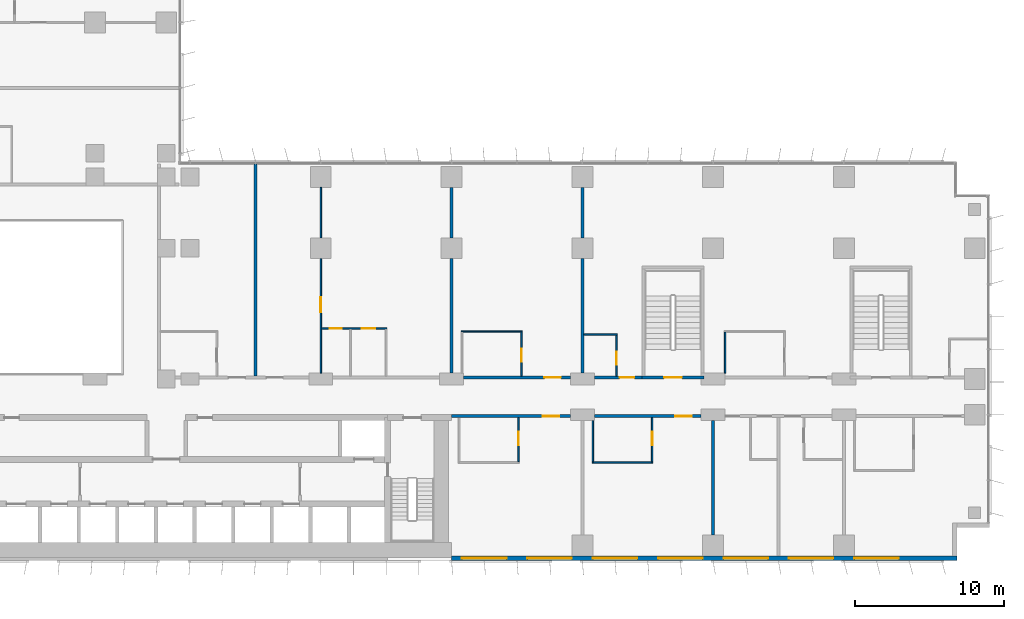
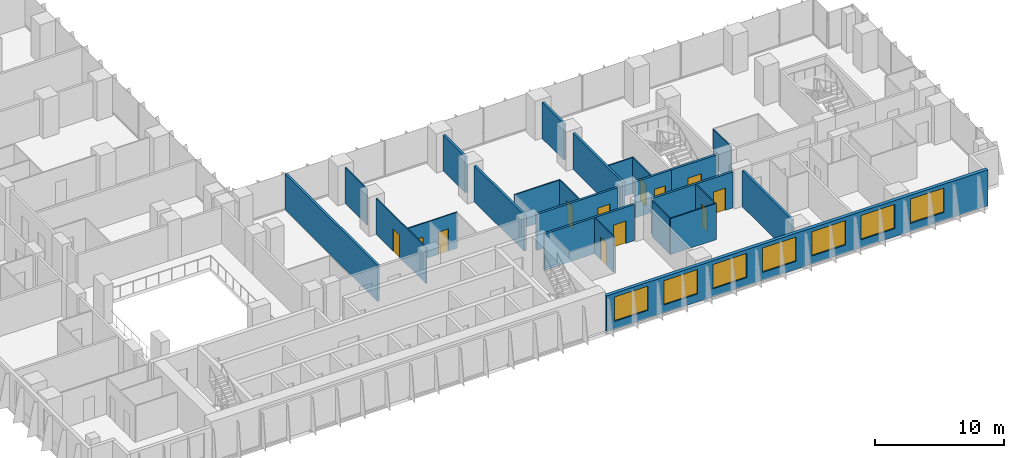
# One storey, part 14 of 24: 24 walls, 12 doors, 7 windows, 19 openings.
"""IFC4 building model written with IfcOpenShell, lengths in metres."""

import ifcopenshell
import ifcopenshell.guid

model = None  # the IFC model being written
_history = None  # IfcOwnerHistory: only IFC2X3 demands one
_inside = {}  # id of a spatial element -> (the spatial element, [elements in it])
_under = {}  # id of a project, library or spatial element -> (it, [spatial elements below it])
_declared = {}  # id of a project -> (the project, [libraries it declares])
_typed = {}  # id of a type object -> (the type object, [elements of that type])
_made_of = {}  # id of a material, layer set ... -> (it, [elements and type objects made of it])


def new_model(schema):
    """Start an empty IFC model of exactly this schema.

    Asked for "IFC4X3", IfcOpenShell would pick the latest addendum, in which some entities
    have other attributes; the version numbers below select the first issue.
    IFC2X3 requires an IfcOwnerHistory on every rooted entity: one is made here for all.
    """
    global model, _history
    if schema == "IFC4X3":
        model = ifcopenshell.file(schema_version=(4, 3, 0, 0))
    else:
        model = ifcopenshell.file(schema=schema)
    _inside.clear()
    _under.clear()
    _declared.clear()
    _typed.clear()
    _made_of.clear()
    _history = None
    if model.schema == "IFC2X3":
        org = make("IfcOrganization", Name="unknown")
        user = make(
            "IfcPersonAndOrganization",
            ThePerson=make("IfcPerson", FamilyName="unknown"),
            TheOrganization=org,
        )
        app = make(
            "IfcApplication",
            ApplicationDeveloper=org,
            Version="unknown",
            ApplicationFullName="unknown",
            ApplicationIdentifier="unknown",
        )
        _history = make(
            "IfcOwnerHistory",
            OwningUser=user,
            OwningApplication=app,
            ChangeAction="ADDED",
            CreationDate=0,
        )
    return model


def make(cls, **values):
    """One entity of the class cls with the attributes given. An attribute that is None is left unset."""
    return model.create_entity(
        cls, **{name: value for name, value in values.items() if value is not None}
    )


def rooted(cls, **values):
    """An entity with a GlobalId (a new one), such as an element, a storey or a relation."""
    return make(cls, GlobalId=ifcopenshell.guid.new(), OwnerHistory=_history, **values)


def si_unit(unit_type, name, prefix=None):
    """IfcSIUnit, for example si_unit("LENGTHUNIT", "METRE", prefix="MILLI")."""
    return make("IfcSIUnit", UnitType=unit_type, Prefix=prefix, Name=name)


def assignment(units):
    """IfcUnitAssignment: the units of a project."""
    return None if units is None else make("IfcUnitAssignment", Units=units)


def point(xyz):
    """IfcCartesianPoint."""
    return None if xyz is None else make("IfcCartesianPoint", Coordinates=xyz)


def direction(xyz):
    """IfcDirection."""
    return None if xyz is None else make("IfcDirection", DirectionRatios=xyz)


def frame(location, z_axis=None, x_axis=None):
    """IfcAxis2Placement3D, a coordinate frame: its origin and axes. An axis left out is left unset."""
    return make(
        "IfcAxis2Placement3D",
        Location=point(location),
        Axis=direction(z_axis),
        RefDirection=direction(x_axis),
    )


def frame_2d(location, x_axis=None):
    """IfcAxis2Placement2D, a coordinate frame in the plane: its origin and x axis."""
    return make(
        "IfcAxis2Placement2D", Location=point(location), RefDirection=direction(x_axis)
    )


def origin():
    """The frame at (0, 0, 0) with its axes left unset."""
    return frame((0.0, 0.0, 0.0))


def place(relative_to, where):
    """IfcLocalPlacement: puts the frame where relative to a parent placement (None: the world)."""
    return make(
        "IfcLocalPlacement", PlacementRelTo=relative_to, RelativePlacement=where
    )


def context(
    kind, dimensions, precision=None, world=None, true_north=None, identifier=None
):
    """IfcGeometricRepresentationContext, for example the 3D "Model" context."""
    return make(
        "IfcGeometricRepresentationContext",
        ContextIdentifier=identifier,
        ContextType=kind,
        CoordinateSpaceDimension=dimensions,
        Precision=precision,
        WorldCoordinateSystem=world,
        TrueNorth=true_north,
    )


def subcontext(parent, identifier, kind, view, scale=None):
    """IfcGeometricRepresentationSubContext, for example "Body" below "Model"."""
    return make(
        "IfcGeometricRepresentationSubContext",
        ContextIdentifier=identifier,
        ContextType=kind,
        ParentContext=parent,
        TargetScale=scale,
        TargetView=view,
    )


def project(units=None, contexts=None):
    """IfcProject with its units and contexts."""
    return rooted(
        "IfcProject",
        Name="project",
        RepresentationContexts=contexts,
        UnitsInContext=assignment(units),
    )


def spatial(cls, under=None, at=None, **own):
    """A site, building, storey or space (cls), placed at a placement, below another one or the project."""
    s = rooted(cls, ObjectPlacement=at, **own)
    if under is not None:
        _under.setdefault(under.id(), (under, []))[1].append(s)
    return s


def profile(cls, at=None, kind="AREA", **sizes):
    """A parametric profile (cls). Its sizes go by their IFC names, for example OverallWidth=200.0."""
    return make(cls, ProfileType=kind, Position=at, **sizes)


def rectangle(**sizes):
    """IfcRectangleProfileDef."""
    return profile("IfcRectangleProfileDef", **sizes)


def extrude(swept, where, along, depth):
    """IfcExtrudedAreaSolid: the profile swept, set in the frame where, extruded along a direction by depth."""
    return make(
        "IfcExtrudedAreaSolid",
        SweptArea=swept,
        Position=where,
        ExtrudedDirection=direction(along),
        Depth=depth,
    )


def shape(context_of_items, identifier, shape_type, items):
    """IfcShapeRepresentation: the items that make up one representation, for example the "Body"."""
    return make(
        "IfcShapeRepresentation",
        ContextOfItems=context_of_items,
        RepresentationIdentifier=identifier,
        RepresentationType=shape_type,
        Items=items,
    )


def material(Name=None, Category=None):
    """IfcMaterial."""
    return make("IfcMaterial", Name=Name, Category=Category)


def layer(
    of_material, thickness, ventilated=None, Name=None, Category=None, Priority=None
):
    """IfcMaterialLayer: one layer of a wall or slab, of a material (None: an air gap)."""
    return make(
        "IfcMaterialLayer",
        Material=of_material,
        LayerThickness=thickness,
        IsVentilated=ventilated,
        Name=Name,
        Category=Category,
        Priority=Priority,
    )


def layer_set(layers, Name=None):
    """IfcMaterialLayerSet."""
    return make("IfcMaterialLayerSet", MaterialLayers=layers, LayerSetName=Name)


def made_of(thing, what):
    """Note that an element or type object is made of a material, layer set ...; save() writes the relation."""
    if what is not None:
        _made_of.setdefault(what.id(), (what, []))[1].append(thing)
    return thing


def type_object(cls, material=None, **own):
    """A type object (cls), such as IfcWallType, which elements share."""
    return made_of(rooted(cls, **own), material)


def element(
    cls,
    number,
    at=None,
    inside=None,
    cuts=None,
    type_object=None,
    material=None,
    context=None,
    identifier="Body",
    shape_type=None,
    held_by="IfcProductDefinitionShape",
    body=None,
    shapes=None,
    **own,
):
    """One element of the class cls, such as IfcWall. Its Tag is "e" and its number.

    at: its placement. inside: the storey or other place that contains it. cuts: it is an
    opening in that element (IfcRelVoidsElement). A single representation is given by context,
    identifier, shape_type and body (its items); several are given by shapes. held_by: the class
    of the entity that holds the representations. save() writes the other relations.
    """
    e = rooted(cls, Tag="e%d" % number, ObjectPlacement=at, **own)
    if body is not None:
        shapes = [shape(context, identifier, shape_type, body)]
    if shapes is not None:
        e.Representation = make(held_by, Representations=shapes)
    if inside is not None:
        _inside.setdefault(inside.id(), (inside, []))[1].append(e)
    if cuts is not None:
        rooted(
            "IfcRelVoidsElement", RelatingBuildingElement=cuts, RelatedOpeningElement=e
        )
    if type_object is not None:
        _typed.setdefault(type_object.id(), (type_object, []))[1].append(e)
    return made_of(e, material)


def fill(opening, filler):
    """IfcRelFillsElement: the door or window that sits in an opening."""
    return rooted(
        "IfcRelFillsElement",
        RelatingOpeningElement=opening,
        RelatedBuildingElement=filler,
    )


def aggregate(whole, parts):
    """IfcRelAggregates: a whole, such as a stair, and the parts it consists of."""
    return rooted("IfcRelAggregates", RelatingObject=whole, RelatedObjects=parts)


def save(model, path):
    """Write the relations noted so far, then the file.

    IfcRelAggregates (storeys below a building ...), IfcRelContainedInSpatialStructure (elements
    in a storey), IfcRelDefinesByType, IfcRelAssociatesMaterial and IfcRelDeclares: one each for
    every whole, place, type object, material and project.
    """
    for whole, parts in _under.values():
        aggregate(whole, parts)
    for where, things in _inside.values():
        rooted(
            "IfcRelContainedInSpatialStructure",
            RelatedElements=things,
            RelatingStructure=where,
        )
    for kind, things in _typed.values():
        rooted("IfcRelDefinesByType", RelatedObjects=things, RelatingType=kind)
    for what, things in _made_of.values():
        rooted("IfcRelAssociatesMaterial", RelatedObjects=things, RelatingMaterial=what)
    for by, libraries in _declared.values():
        rooted("IfcRelDeclares", RelatingContext=by, RelatedDefinitions=libraries)
    model.write(path)


model = new_model("IFC4")

# Units and contexts
model_context = context("Model", 3, precision=1e-05, world=origin(), true_north=direction((0.0, 1.0)))
body_context = subcontext(model_context, "Body", "Model", "MODEL_VIEW")
ifc_project = project(units=[si_unit("LENGTHUNIT", "METRE"), si_unit("AREAUNIT", "SQUARE_METRE"), si_unit("VOLUMEUNIT", "CUBIC_METRE"), si_unit("PLANEANGLEUNIT", "RADIAN"), si_unit("MASSUNIT", "GRAM", prefix="KILO")], contexts=[model_context])

# Site, building, storey
site_placement = place(None, origin())
site = spatial("IfcSite", under=ifc_project, at=site_placement, CompositionType="ELEMENT")
building_placement = place(site_placement, origin())
building = spatial("IfcBuilding", under=site, at=building_placement, Name="Kemantara Hotel Tower", CompositionType="ELEMENT")
storey_placement = place(building_placement, frame((0.0, 0.0, 45.10009765625)))
storey = spatial("IfcBuildingStorey", under=building, at=storey_placement, Name="L09", CompositionType="ELEMENT", Elevation=45.10009765625)

# Wall, openings, windows
ifc_material_1 = material(Name="Bronze anodised aluminium cladding on insulated steel stud wall", Category="steel")
ifc_layer_1 = layer(ifc_material_1, 0.300048828125)
ifc_layer_set_1 = layer_set([ifc_layer_1], Name="Bronze anodised aluminium cladding on insulated steel stud wall")
wall_type_1 = type_object("IfcWallType", Name="BRONZE METAL-CLAD EXTERNAL WALL 300", PredefinedType="STANDARD", material=ifc_layer_set_1)
wall_1_placement = place(storey_placement, frame((45.0, 0.14990234375, 0.0), z_axis=(0.0, 0.0, 1.0), x_axis=(1.0, 0.0, 0.0)))
wall_1 = element("IfcWall", 1, at=wall_1_placement, inside=storey, type_object=wall_type_1, Name="EXTERNAL WALL L09 T1-R01-3", PredefinedType="STANDARD", context=body_context, shape_type="SweptSolid", body=[
    extrude(rectangle(XDim=34.0, YDim=0.300048828125, at=frame_2d((17.0, 0.0))), origin(), (0.0, 0.0, 1.0), 3.39990234375),
])
opening_1_placement = place(wall_1_placement, frame((0.699951171875, 0.0, 0.75)))
opening_1 = element("IfcOpeningElement", 2, at=opening_1_placement, cuts=wall_1, Name="Opening W1", PredefinedType="OPENING", context=body_context, shape_type="SweptSolid", body=[
    extrude(rectangle(XDim=3.0, YDim=2.300048828125, at=frame_2d((1.5, 1.14990234375))), frame((0.0, 0.159912109375, 0.0), z_axis=(0.0, -1.0, 0.0), x_axis=(1.0, 0.0, 0.0)), (0.0, 0.0, 1.0), 0.320068359375),
])
opening_2_placement = place(wall_1_placement, frame((5.10009765625, 0.0, 0.75)))
opening_2 = element("IfcOpeningElement", 3, at=opening_2_placement, cuts=wall_1, Name="Opening W1", PredefinedType="OPENING", context=body_context, shape_type="SweptSolid", body=[
    extrude(rectangle(XDim=3.0, YDim=2.300048828125, at=frame_2d((1.5, 1.14990234375))), frame((0.0, 0.159912109375, 0.0), z_axis=(0.0, -1.0, 0.0), x_axis=(1.0, 0.0, 0.0)), (0.0, 0.0, 1.0), 0.320068359375),
])
opening_3_placement = place(wall_1_placement, frame((9.5, 0.0, 0.75)))
opening_3 = element("IfcOpeningElement", 4, at=opening_3_placement, cuts=wall_1, Name="Opening W1", PredefinedType="OPENING", context=body_context, shape_type="SweptSolid", body=[
    extrude(rectangle(XDim=3.0, YDim=2.300048828125, at=frame_2d((1.5, 1.14990234375))), frame((0.0, 0.159912109375, 0.0), z_axis=(0.0, -1.0, 0.0), x_axis=(1.0, 0.0, 0.0)), (0.0, 0.0, 1.0), 0.320068359375),
])
opening_4_placement = place(wall_1_placement, frame((13.89990234375, 0.0, 0.75)))
opening_4 = element("IfcOpeningElement", 5, at=opening_4_placement, cuts=wall_1, Name="Opening W1", PredefinedType="OPENING", context=body_context, shape_type="SweptSolid", body=[
    extrude(rectangle(XDim=3.0, YDim=2.300048828125, at=frame_2d((1.5, 1.14990234375))), frame((0.0, 0.159912109375, 0.0), z_axis=(0.0, -1.0, 0.0), x_axis=(1.0, 0.0, 0.0)), (0.0, 0.0, 1.0), 0.320068359375),
])
opening_5_placement = place(wall_1_placement, frame((18.300048828125, 0.0, 0.75)))
opening_5 = element("IfcOpeningElement", 6, at=opening_5_placement, cuts=wall_1, Name="Opening W1", PredefinedType="OPENING", context=body_context, shape_type="SweptSolid", body=[
    extrude(rectangle(XDim=3.0, YDim=2.300048828125, at=frame_2d((1.5, 1.14990234375))), frame((0.0, 0.159912109375, 0.0), z_axis=(0.0, -1.0, 0.0), x_axis=(1.0, 0.0, 0.0)), (0.0, 0.0, 1.0), 0.320068359375),
])
opening_6_placement = place(wall_1_placement, frame((22.699951171875, 0.0, 0.75)))
opening_6 = element("IfcOpeningElement", 7, at=opening_6_placement, cuts=wall_1, Name="Opening W1", PredefinedType="OPENING", context=body_context, shape_type="SweptSolid", body=[
    extrude(rectangle(XDim=3.0, YDim=2.300048828125, at=frame_2d((1.5, 1.14990234375))), frame((0.0, 0.159912109375, 0.0), z_axis=(0.0, -1.0, 0.0), x_axis=(1.0, 0.0, 0.0)), (0.0, 0.0, 1.0), 0.320068359375),
])
opening_7_placement = place(wall_1_placement, frame((27.10009765625, 0.0, 0.75)))
opening_7 = element("IfcOpeningElement", 8, at=opening_7_placement, cuts=wall_1, Name="Opening W1", PredefinedType="OPENING", context=body_context, shape_type="SweptSolid", body=[
    extrude(rectangle(XDim=3.0, YDim=2.300048828125, at=frame_2d((1.5, 1.14990234375))), frame((0.0, 0.159912109375, 0.0), z_axis=(0.0, -1.0, 0.0), x_axis=(1.0, 0.0, 0.0)), (0.0, 0.0, 1.0), 0.320068359375),
])
ifc_material_2 = material(Name="Low-E tinted double insulated glass in bronze anodised aluminium frame", Category="aluminium")
window_type = type_object("IfcWindowType", Name="CHICAGO WINDOW, TRIPLE PANEL 3000x2300", PartitioningType="TRIPLE_PANEL_VERTICAL", PredefinedType="WINDOW", material=ifc_material_2)
window_1_placement = place(opening_1_placement, origin())
window_1 = element("IfcWindow", 9, at=window_1_placement, inside=storey, type_object=window_type, Name="CHICAGO WINDOW L09 T1-R01-450", OverallHeight=2.300048828125, OverallWidth=3.0, PartitioningType="SINGLE_PANEL", PredefinedType="WINDOW", context=body_context, shape_type="SweptSolid", body=[
    extrude(rectangle(XDim=3.0, YDim=2.300048828125, at=frame_2d((1.5, 1.14990234375))), frame((0.0, 0.030029296875, 0.0), z_axis=(0.0, -1.0, 0.0), x_axis=(1.0, 0.0, 0.0)), (0.0, 0.0, 1.0), 0.06005859375),
])
fill(opening_1, window_1)
window_2_placement = place(opening_2_placement, origin())
window_2 = element("IfcWindow", 10, at=window_2_placement, inside=storey, type_object=window_type, Name="CHICAGO WINDOW L09 T1-R01-494", OverallHeight=2.300048828125, OverallWidth=3.0, PartitioningType="SINGLE_PANEL", PredefinedType="WINDOW", context=body_context, shape_type="SweptSolid", body=[
    extrude(rectangle(XDim=3.0, YDim=2.300048828125, at=frame_2d((1.5, 1.14990234375))), frame((0.0, 0.030029296875, 0.0), z_axis=(0.0, -1.0, 0.0), x_axis=(1.0, 0.0, 0.0)), (0.0, 0.0, 1.0), 0.06005859375),
])
fill(opening_2, window_2)
window_3_placement = place(opening_3_placement, origin())
window_3 = element("IfcWindow", 11, at=window_3_placement, inside=storey, type_object=window_type, Name="CHICAGO WINDOW L09 T1-R01-538", OverallHeight=2.300048828125, OverallWidth=3.0, PartitioningType="SINGLE_PANEL", PredefinedType="WINDOW", context=body_context, shape_type="SweptSolid", body=[
    extrude(rectangle(XDim=3.0, YDim=2.300048828125, at=frame_2d((1.5, 1.14990234375))), frame((0.0, 0.030029296875, 0.0), z_axis=(0.0, -1.0, 0.0), x_axis=(1.0, 0.0, 0.0)), (0.0, 0.0, 1.0), 0.06005859375),
])
fill(opening_3, window_3)
window_4_placement = place(opening_4_placement, origin())
window_4 = element("IfcWindow", 12, at=window_4_placement, inside=storey, type_object=window_type, Name="CHICAGO WINDOW L09 T1-R01-582", OverallHeight=2.300048828125, OverallWidth=3.0, PartitioningType="SINGLE_PANEL", PredefinedType="WINDOW", context=body_context, shape_type="SweptSolid", body=[
    extrude(rectangle(XDim=3.0, YDim=2.300048828125, at=frame_2d((1.5, 1.14990234375))), frame((0.0, 0.030029296875, 0.0), z_axis=(0.0, -1.0, 0.0), x_axis=(1.0, 0.0, 0.0)), (0.0, 0.0, 1.0), 0.06005859375),
])
fill(opening_4, window_4)
window_5_placement = place(opening_5_placement, origin())
window_5 = element("IfcWindow", 13, at=window_5_placement, inside=storey, type_object=window_type, Name="CHICAGO WINDOW L09 T1-R01-626", OverallHeight=2.300048828125, OverallWidth=3.0, PartitioningType="SINGLE_PANEL", PredefinedType="WINDOW", context=body_context, shape_type="SweptSolid", body=[
    extrude(rectangle(XDim=3.0, YDim=2.300048828125, at=frame_2d((1.5, 1.14990234375))), frame((0.0, 0.030029296875, 0.0), z_axis=(0.0, -1.0, 0.0), x_axis=(1.0, 0.0, 0.0)), (0.0, 0.0, 1.0), 0.06005859375),
])
fill(opening_5, window_5)
window_6_placement = place(opening_6_placement, origin())
window_6 = element("IfcWindow", 14, at=window_6_placement, inside=storey, type_object=window_type, Name="CHICAGO WINDOW L09 T1-R01-670", OverallHeight=2.300048828125, OverallWidth=3.0, PartitioningType="SINGLE_PANEL", PredefinedType="WINDOW", context=body_context, shape_type="SweptSolid", body=[
    extrude(rectangle(XDim=3.0, YDim=2.300048828125, at=frame_2d((1.5, 1.14990234375))), frame((0.0, 0.030029296875, 0.0), z_axis=(0.0, -1.0, 0.0), x_axis=(1.0, 0.0, 0.0)), (0.0, 0.0, 1.0), 0.06005859375),
])
fill(opening_6, window_6)
window_7_placement = place(opening_7_placement, origin())
window_7 = element("IfcWindow", 15, at=window_7_placement, inside=storey, type_object=window_type, Name="CHICAGO WINDOW L09 T1-R01-714", OverallHeight=2.300048828125, OverallWidth=3.0, PartitioningType="SINGLE_PANEL", PredefinedType="WINDOW", context=body_context, shape_type="SweptSolid", body=[
    extrude(rectangle(XDim=3.0, YDim=2.300048828125, at=frame_2d((1.5, 1.14990234375))), frame((0.0, 0.030029296875, 0.0), z_axis=(0.0, -1.0, 0.0), x_axis=(1.0, 0.0, 0.0)), (0.0, 0.0, 1.0), 0.06005859375),
])
fill(opening_7, window_7)

# Wall, opening, door
ifc_material_3 = material(Name="Gypsum board partition, steel studs and mineral wool, 200 mm", Category="steel")
ifc_layer_2 = layer(ifc_material_3, 0.199951171875)
ifc_layer_set_2 = layer_set([ifc_layer_2], Name="Gypsum board partition, steel studs and mineral wool, 200 mm")
wall_type_2 = type_object("IfcWallType", Name="CORRIDOR WALL 200", PredefinedType="PARTITIONING", material=ifc_layer_set_2)
wall_2_placement = place(storey_placement, frame((53.0, 9.699951171875, 0.0), z_axis=(0.0, 0.0, 1.0), x_axis=(-1.0, 0.0, 0.0)))
wall_2 = element("IfcWall", 16, at=wall_2_placement, inside=storey, type_object=wall_type_2, Name="CORRIDOR WALL 200 001", PredefinedType="PARTITIONING", context=body_context, shape_type="SweptSolid", body=[
    extrude(rectangle(XDim=8.0, YDim=0.199951171875, at=frame_2d((4.0, 0.0))), origin(), (0.0, 0.0, 1.0), 3.39990234375),
])
opening_8_placement = place(wall_2_placement, frame((0.75, 0.0, 0.0)))
opening_8 = element("IfcOpeningElement", 17, at=opening_8_placement, cuts=wall_2, Name="Opening F02-001", PredefinedType="OPENING", context=body_context, shape_type="SweptSolid", body=[
    extrude(rectangle(XDim=1.10009765625, YDim=2.10009765625, at=frame_2d((0.550048828125, 1.050048828125))), frame((0.0, 0.10986328125, 0.0), z_axis=(0.0, -1.0, 0.0), x_axis=(1.0, 0.0, 0.0)), (0.0, 0.0, 1.0), 0.219970703125),
])
ifc_material_4 = material(Name="Hardwood veneer door leaf with steel frame", Category="steel")
door_type_1 = type_object("IfcDoorType", Name="SUITE ENTRANCE DOOR 1100 X 2100 FD30S", OperationType="NOTDEFINED", PredefinedType="DOOR", material=ifc_material_4)
door_1_placement = place(opening_8_placement, origin())
door_1 = element("IfcDoor", 18, at=door_1_placement, inside=storey, type_object=door_type_1, Name="SUITE ENTRANCE DOOR F02-001", OperationType="SINGLE_SWING_LEFT", OverallHeight=2.10009765625, OverallWidth=1.10009765625, PredefinedType="DOOR", context=body_context, shape_type="SweptSolid", body=[
    extrude(rectangle(XDim=1.10009765625, YDim=2.10009765625, at=frame_2d((0.550048828125, 1.050048828125))), frame((0.0, 0.02490234375, 0.0), z_axis=(0.0, -1.0, 0.0), x_axis=(1.0, 0.0, 0.0)), (0.0, 0.0, 1.0), 0.050048828125),
])
fill(opening_8, door_1)

wall_3_placement = place(storey_placement, frame((61.7998046875, 9.699951171875, 0.0), z_axis=(0.0, 0.0, 1.0), x_axis=(-1.0, 0.0, 0.0)))
wall_3 = element("IfcWall", 19, at=wall_3_placement, inside=storey, type_object=wall_type_2, Name="CORRIDOR WALL 200 002", PredefinedType="PARTITIONING", context=body_context, shape_type="SweptSolid", body=[
    extrude(rectangle(XDim=7.19970703125, YDim=0.199951171875, at=frame_2d((3.599853515625, 0.0))), origin(), (0.0, 0.0, 1.0), 3.39990234375),
])
opening_9_placement = place(wall_3_placement, frame((0.64990234375, 0.0, 0.0)))
opening_9 = element("IfcOpeningElement", 20, at=opening_9_placement, cuts=wall_3, Name="Opening F02-003", PredefinedType="OPENING", context=body_context, shape_type="SweptSolid", body=[
    extrude(rectangle(XDim=1.10009765625, YDim=2.10009765625, at=frame_2d((0.550048828125, 1.050048828125))), frame((0.0, 0.10986328125, 0.0), z_axis=(0.0, -1.0, 0.0), x_axis=(1.0, 0.0, 0.0)), (0.0, 0.0, 1.0), 0.219970703125),
])
door_2_placement = place(opening_9_placement, origin())
door_2 = element("IfcDoor", 21, at=door_2_placement, inside=storey, type_object=door_type_1, Name="SUITE ENTRANCE DOOR F02-003", OperationType="SINGLE_SWING_LEFT", OverallHeight=2.10009765625, OverallWidth=1.10009765625, PredefinedType="DOOR", context=body_context, shape_type="SweptSolid", body=[
    extrude(rectangle(XDim=1.10009765625, YDim=2.10009765625, at=frame_2d((0.550048828125, 1.050048828125))), frame((0.0, 0.02490234375, 0.0), z_axis=(0.0, -1.0, 0.0), x_axis=(1.0, 0.0, 0.0)), (0.0, 0.0, 1.0), 0.050048828125),
])
fill(opening_9, door_2)

wall_4_placement = place(storey_placement, frame((45.800048828125, 12.300048828125, 0.0), z_axis=(0.0, 0.0, 1.0), x_axis=(1.0, 0.0, 0.0)))
wall_4 = element("IfcWall", 22, at=wall_4_placement, inside=storey, type_object=wall_type_2, Name="CORRIDOR WALL 200 014", PredefinedType="PARTITIONING", context=body_context, shape_type="SweptSolid", body=[
    extrude(rectangle(XDim=7.199951171875, YDim=0.199951171875, at=frame_2d((3.60009765625, 0.0))), origin(), (0.0, 0.0, 1.0), 3.39990234375),
])
opening_10_placement = place(wall_4_placement, frame((5.449951171875, 0.0, 0.0)))
opening_10 = element("IfcOpeningElement", 23, at=opening_10_placement, cuts=wall_4, Name="Opening F02-017", PredefinedType="OPENING", context=body_context, shape_type="SweptSolid", body=[
    extrude(rectangle(XDim=1.10009765625, YDim=2.10009765625, at=frame_2d((0.550048828125, 1.050048828125))), frame((0.0, 0.10986328125, 0.0), z_axis=(0.0, -1.0, 0.0), x_axis=(1.0, 0.0, 0.0)), (0.0, 0.0, 1.0), 0.219970703125),
])
door_3_placement = place(opening_10_placement, origin())
door_3 = element("IfcDoor", 24, at=door_3_placement, inside=storey, type_object=door_type_1, Name="SUITE ENTRANCE DOOR F02-017", OperationType="SINGLE_SWING_RIGHT", OverallHeight=2.10009765625, OverallWidth=1.10009765625, PredefinedType="DOOR", context=body_context, shape_type="SweptSolid", body=[
    extrude(rectangle(XDim=1.10009765625, YDim=2.10009765625, at=frame_2d((0.550048828125, 1.050048828125))), frame((0.0, 0.02490234375, 0.0), z_axis=(0.0, -1.0, 0.0), x_axis=(1.0, 0.0, 0.0)), (0.0, 0.0, 1.0), 0.050048828125),
])
fill(opening_10, door_3)

wall_5_placement = place(storey_placement, frame((54.60009765625, 12.300048828125, 0.0), z_axis=(0.0, 0.0, 1.0), x_axis=(1.0, 0.0, 0.0)))
wall_5 = element("IfcWall", 25, at=wall_5_placement, inside=storey, type_object=wall_type_2, Name="CORRIDOR WALL 200 015", PredefinedType="PARTITIONING", context=body_context, shape_type="SweptSolid", body=[
    extrude(rectangle(XDim=3.199951171875, YDim=0.199951171875, at=frame_2d((1.60009765625, 0.0))), origin(), (0.0, 0.0, 1.0), 3.39990234375),
])
opening_11_placement = place(wall_5_placement, frame((1.699951171875, 0.0, 0.0)))
opening_11 = element("IfcOpeningElement", 26, at=opening_11_placement, cuts=wall_5, Name="Opening F02-019", PredefinedType="OPENING", context=body_context, shape_type="SweptSolid", body=[
    extrude(rectangle(XDim=1.0, YDim=2.10009765625, at=frame_2d((0.5, 1.050048828125))), frame((0.0, 0.10986328125, 0.0), z_axis=(0.0, -1.0, 0.0), x_axis=(1.0, 0.0, 0.0)), (0.0, 0.0, 1.0), 0.219970703125),
])
door_type_2 = type_object("IfcDoorType", Name="GUEST ROOM DOOR 1000 X 2100 FD30S", OperationType="NOTDEFINED", PredefinedType="DOOR", material=ifc_material_4)
door_4_placement = place(opening_11_placement, origin())
door_4 = element("IfcDoor", 27, at=door_4_placement, inside=storey, type_object=door_type_2, Name="GUEST ROOM DOOR F02-019", OperationType="SINGLE_SWING_RIGHT", OverallHeight=2.10009765625, OverallWidth=1.0, PredefinedType="DOOR", context=body_context, shape_type="SweptSolid", body=[
    extrude(rectangle(XDim=1.0, YDim=2.10009765625, at=frame_2d((0.5, 1.050048828125))), frame((0.0, 0.02490234375, 0.0), z_axis=(0.0, -1.0, 0.0), x_axis=(1.0, 0.0, 0.0)), (0.0, 0.0, 1.0), 0.050048828125),
])
fill(opening_11, door_4)

ifc_material_5 = material(Name="Concrete fc 40 MPa", Category="concrete")
ifc_layer_3 = layer(ifc_material_5, 0.199951171875)
ifc_layer_set_3 = layer_set([ifc_layer_3], Name="Concrete fc 40 MPa")
wall_type_3 = type_object("IfcWallType", Name="Concrete stair wall 200 mm", PredefinedType="SHEAR", material=ifc_layer_set_3)
wall_6_placement = place(storey_placement, frame((57.800048828125, 12.300048828125, 0.0), z_axis=(0.0, 0.0, 1.0), x_axis=(1.0, 0.0, 0.0)))
wall_6 = element("IfcWall", 28, at=wall_6_placement, inside=storey, type_object=wall_type_3, Name="Stair ST3 enclosure wall with door", PredefinedType="SHEAR", context=body_context, shape_type="SweptSolid", body=[
    extrude(rectangle(XDim=4.199951171875, YDim=0.199951171875, at=frame_2d((2.10009765625, 0.0))), origin(), (0.0, 0.0, 1.0), 3.39990234375),
])
opening_12_placement = place(wall_6_placement, frame((1.5, 0.0, 0.0)))
opening_12 = element("IfcOpeningElement", 29, at=opening_12_placement, cuts=wall_6, Name="Opening ST3-C", PredefinedType="OPENING", context=body_context, shape_type="SweptSolid", body=[
    extrude(rectangle(XDim=1.199951171875, YDim=2.10009765625, at=frame_2d((0.60009765625, 1.050048828125))), frame((0.0, 0.10986328125, 0.0), z_axis=(0.0, -1.0, 0.0), x_axis=(1.0, 0.0, 0.0)), (0.0, 0.0, 1.0), 0.219970703125),
])
ifc_material_6 = material(Name="Steel fire door", Category="steel")
door_type_3 = type_object("IfcDoorType", Name="Fire door FD90 1200 x 2100", OperationType="NOTDEFINED", PredefinedType="DOOR", material=ifc_material_6)
door_5_placement = place(opening_12_placement, origin())
door_5 = element("IfcDoor", 30, at=door_5_placement, inside=storey, type_object=door_type_3, Name="Stair ST3 door", OperationType="SINGLE_SWING_RIGHT", OverallHeight=2.10009765625, OverallWidth=1.199951171875, PredefinedType="DOOR", context=body_context, shape_type="SweptSolid", body=[
    extrude(rectangle(XDim=1.199951171875, YDim=2.10009765625, at=frame_2d((0.60009765625, 1.050048828125))), frame((0.0, 0.02490234375, 0.0), z_axis=(0.0, -1.0, 0.0), x_axis=(1.0, 0.0, 0.0)), (0.0, 0.0, 1.0), 0.050048828125),
])
fill(opening_12, door_5)

# Walls
ifc_layer_4 = layer(ifc_material_3, 0.199951171875)
ifc_layer_set_4 = layer_set([ifc_layer_4], Name="Gypsum board partition, steel studs and mineral wool, 200 mm")
wall_type_4 = type_object("IfcWallType", Name="GUEST ROOM PARTY WALL 200", PredefinedType="PARTITIONING", material=ifc_layer_set_4)
wall_7_placement = place(storey_placement, frame((53.800048828125, 12.60009765625, 0.0), z_axis=(0.0, 0.0, 1.0), x_axis=(0.0, 1.0, 0.0)))
element("IfcWall", 31, at=wall_7_placement, inside=storey, type_object=wall_type_4, Name="GUEST ROOM PARTY WALL 200 006", PredefinedType="PARTITIONING", context=body_context, shape_type="SweptSolid", body=[
    extrude(rectangle(XDim=7.69970703125, YDim=0.199951171875, at=frame_2d((3.849853515625, 0.0))), origin(), (0.0, 0.0, 1.0), 3.39990234375),
])
wall_8_placement = place(storey_placement, frame((53.800048828125, 21.7001953125, 0.0), z_axis=(0.0, 0.0, 1.0), x_axis=(0.0, 1.0, 0.0)))
element("IfcWall", 32, at=wall_8_placement, inside=storey, type_object=wall_type_4, Name="GUEST ROOM PARTY WALL 200 007", PredefinedType="PARTITIONING", context=body_context, shape_type="SweptSolid", body=[
    extrude(rectangle(XDim=3.399658203125, YDim=0.199951171875, at=frame_2d((1.69970703125, 0.0))), origin(), (0.0, 0.0, 1.0), 3.39990234375),
])
wall_9_placement = place(storey_placement, frame((62.60009765625, 1.7001953125, 0.0), z_axis=(0.0, 0.0, 1.0), x_axis=(0.0, 1.0, 0.0)))
element("IfcWall", 33, at=wall_9_placement, inside=storey, type_object=wall_type_4, Name="GUEST ROOM PARTY WALL 200 008", PredefinedType="PARTITIONING", context=body_context, shape_type="SweptSolid", body=[
    extrude(rectangle(XDim=7.69970703125, YDim=0.199951171875, at=frame_2d((3.849853515625, 0.0))), origin(), (0.0, 0.0, 1.0), 3.39990234375),
])
wall_10_placement = place(storey_placement, frame((31.800048828125, 12.39990234375, 0.0), z_axis=(0.0, 0.0, 1.0), x_axis=(0.0, 1.0, 0.0)))
element("IfcWall", 34, at=wall_10_placement, inside=storey, type_object=wall_type_4, Name="GUEST ROOM PARTY WALL 200 021", PredefinedType="PARTITIONING", context=body_context, shape_type="SweptSolid", body=[
    extrude(rectangle(XDim=14.27001953125, YDim=0.199951171875, at=frame_2d((7.135009765625, 0.0))), origin(), (0.0, 0.0, 1.0), 3.39990234375),
])
wall_11_placement = place(storey_placement, frame((45.0, 12.60009765625, 0.0), z_axis=(0.0, 0.0, 1.0), x_axis=(0.0, 1.0, 0.0)))
element("IfcWall", 35, at=wall_11_placement, inside=storey, type_object=wall_type_4, Name="GUEST ROOM PARTY WALL 200 022", PredefinedType="PARTITIONING", context=body_context, shape_type="SweptSolid", body=[
    extrude(rectangle(XDim=7.69970703125, YDim=0.199951171875, at=frame_2d((3.849853515625, 0.0))), origin(), (0.0, 0.0, 1.0), 3.39990234375),
])
wall_12_placement = place(storey_placement, frame((45.0, 21.7001953125, 0.0), z_axis=(0.0, 0.0, 1.0), x_axis=(0.0, 1.0, 0.0)))
element("IfcWall", 36, at=wall_12_placement, inside=storey, type_object=wall_type_4, Name="GUEST ROOM PARTY WALL 200 023", PredefinedType="PARTITIONING", context=body_context, shape_type="SweptSolid", body=[
    extrude(rectangle(XDim=3.399658203125, YDim=0.199951171875, at=frame_2d((1.69970703125, 0.0))), origin(), (0.0, 0.0, 1.0), 3.39990234375),
])
ifc_material_7 = material(Name="Gypsum board partition on steel studs, 100 mm", Category="steel")
ifc_layer_5 = layer(ifc_material_7, 0.10009765625)
ifc_layer_set_5 = layer_set([ifc_layer_5], Name="Gypsum board partition on steel studs, 100 mm")
wall_type_5 = type_object("IfcWallType", Name="ROOM PARTITION 100", PredefinedType="PARTITIONING", material=ifc_layer_set_5)
wall_13_placement = place(storey_placement, frame((54.449951171875, 6.60009765625, 0.0), z_axis=(0.0, 0.0, 1.0), x_axis=(1.0, 0.0, 0.0)))
element("IfcWall", 37, at=wall_13_placement, inside=storey, type_object=wall_type_5, Name="ROOM PARTITION 100 057", PredefinedType="PARTITIONING", context=body_context, shape_type="SweptSolid", body=[
    extrude(rectangle(XDim=4.10009765625, YDim=0.10009765625, at=frame_2d((2.050048828125, 0.0))), origin(), (0.0, 0.0, 1.0), 3.39990234375),
])

# Wall, opening, door
wall_14_placement = place(storey_placement, frame((49.5, 6.64990234375, 0.0), z_axis=(0.0, 0.0, 1.0), x_axis=(0.0, 1.0, 0.0)))
wall_14 = element("IfcWall", 38, at=wall_14_placement, inside=storey, type_object=wall_type_5, Name="ROOM PARTITION 100 059", PredefinedType="PARTITIONING", context=body_context, shape_type="SweptSolid", body=[
    extrude(rectangle(XDim=2.9501953125, YDim=0.10009765625, at=frame_2d((1.47509765625, 0.0))), origin(), (0.0, 0.0, 1.0), 3.39990234375),
])
opening_13_placement = place(wall_14_placement, frame((1.10009765625, 0.0, 0.0)))
opening_13 = element("IfcOpeningElement", 39, at=opening_13_placement, cuts=wall_14, Name="Opening F02-002", PredefinedType="OPENING", context=body_context, shape_type="SweptSolid", body=[
    extrude(rectangle(XDim=0.89990234375, YDim=2.10009765625, at=frame_2d((0.449951171875, 1.050048828125))), frame((0.0, 0.06005859375, 0.0), z_axis=(0.0, -1.0, 0.0), x_axis=(1.0, 0.0, 0.0)), (0.0, 0.0, 1.0), 0.1201171875),
])
door_type_4 = type_object("IfcDoorType", Name="BATHROOM DOOR 900 X 2100", OperationType="NOTDEFINED", PredefinedType="DOOR", material=ifc_material_4)
door_6_placement = place(opening_13_placement, origin())
door_6 = element("IfcDoor", 40, at=door_6_placement, inside=storey, type_object=door_type_4, Name="BATHROOM DOOR F02-002", OperationType="SINGLE_SWING_RIGHT", OverallHeight=2.10009765625, OverallWidth=0.89990234375, PredefinedType="DOOR", context=body_context, shape_type="SweptSolid", body=[
    extrude(rectangle(XDim=0.89990234375, YDim=2.10009765625, at=frame_2d((0.449951171875, 1.050048828125))), frame((0.0, 0.02490234375, 0.0), z_axis=(0.0, -1.0, 0.0), x_axis=(1.0, 0.0, 0.0)), (0.0, 0.0, 1.0), 0.050048828125),
])
fill(opening_13, door_6)

# Wall
wall_15_placement = place(storey_placement, frame((54.5, 6.64990234375, 0.0), z_axis=(0.0, 0.0, 1.0), x_axis=(0.0, 1.0, 0.0)))
element("IfcWall", 41, at=wall_15_placement, inside=storey, type_object=wall_type_5, Name="ROOM PARTITION 100 060", PredefinedType="PARTITIONING", context=body_context, shape_type="SweptSolid", body=[
    extrude(rectangle(XDim=2.75, YDim=0.10009765625, at=frame_2d((1.375, 0.0))), origin(), (0.0, 0.0, 1.0), 3.39990234375),
])

# Wall, opening, door
wall_16_placement = place(storey_placement, frame((58.5, 6.64990234375, 0.0), z_axis=(0.0, 0.0, 1.0), x_axis=(0.0, 1.0, 0.0)))
wall_16 = element("IfcWall", 42, at=wall_16_placement, inside=storey, type_object=wall_type_5, Name="ROOM PARTITION 100 061", PredefinedType="PARTITIONING", context=body_context, shape_type="SweptSolid", body=[
    extrude(rectangle(XDim=2.9501953125, YDim=0.10009765625, at=frame_2d((1.47509765625, 0.0))), origin(), (0.0, 0.0, 1.0), 3.39990234375),
])
opening_14_placement = place(wall_16_placement, frame((1.10009765625, 0.0, 0.0)))
opening_14 = element("IfcOpeningElement", 43, at=opening_14_placement, cuts=wall_16, Name="Opening F02-004", PredefinedType="OPENING", context=body_context, shape_type="SweptSolid", body=[
    extrude(rectangle(XDim=0.89990234375, YDim=2.10009765625, at=frame_2d((0.449951171875, 1.050048828125))), frame((0.0, 0.06005859375, 0.0), z_axis=(0.0, -1.0, 0.0), x_axis=(1.0, 0.0, 0.0)), (0.0, 0.0, 1.0), 0.1201171875),
])
door_7_placement = place(opening_14_placement, origin())
door_7 = element("IfcDoor", 44, at=door_7_placement, inside=storey, type_object=door_type_4, Name="BATHROOM DOOR F02-004", OperationType="SINGLE_SWING_RIGHT", OverallHeight=2.10009765625, OverallWidth=0.89990234375, PredefinedType="DOOR", context=body_context, shape_type="SweptSolid", body=[
    extrude(rectangle(XDim=0.89990234375, YDim=2.10009765625, at=frame_2d((0.449951171875, 1.050048828125))), frame((0.0, 0.02490234375, 0.0), z_axis=(0.0, -1.0, 0.0), x_axis=(1.0, 0.0, 0.0)), (0.0, 0.0, 1.0), 0.050048828125),
])
fill(opening_14, door_7)

# Wall
wall_17_placement = place(storey_placement, frame((45.64990234375, 15.39990234375, 0.0), z_axis=(0.0, 0.0, 1.0), x_axis=(1.0, 0.0, 0.0)))
element("IfcWall", 45, at=wall_17_placement, inside=storey, type_object=wall_type_5, Name="ROOM PARTITION 100 070", PredefinedType="PARTITIONING", context=body_context, shape_type="SweptSolid", body=[
    extrude(rectangle(XDim=4.10009765625, YDim=0.10009765625, at=frame_2d((2.050048828125, 0.0))), origin(), (0.0, 0.0, 1.0), 3.39990234375),
])

# Wall, openings, doors
wall_18_placement = place(storey_placement, frame((40.64990234375, 15.60009765625, 0.0), z_axis=(0.0, 0.0, 1.0), x_axis=(-1.0, 0.0, 0.0)))
wall_18 = element("IfcWall", 46, at=wall_18_placement, inside=storey, type_object=wall_type_5, Name="ROOM PARTITION 100 073", PredefinedType="PARTITIONING", context=body_context, shape_type="SweptSolid", body=[
    extrude(rectangle(XDim=4.39990234375, YDim=0.10009765625, at=frame_2d((2.199951171875, 0.0))), origin(), (0.0, 0.0, 1.0), 3.39990234375),
])
opening_15_placement = place(wall_18_placement, frame((0.800048828125, 0.0, 0.0)))
opening_15 = element("IfcOpeningElement", 47, at=opening_15_placement, cuts=wall_18, Name="Opening F02-015", PredefinedType="OPENING", context=body_context, shape_type="SweptSolid", body=[
    extrude(rectangle(XDim=0.89990234375, YDim=2.10009765625, at=frame_2d((0.449951171875, 1.050048828125))), frame((0.0, 0.06005859375, 0.0), z_axis=(0.0, -1.0, 0.0), x_axis=(1.0, 0.0, 0.0)), (0.0, 0.0, 1.0), 0.1201171875),
])
opening_16_placement = place(wall_18_placement, frame((3.050048828125, 0.0, 0.0)))
opening_16 = element("IfcOpeningElement", 48, at=opening_16_placement, cuts=wall_18, Name="Opening F02-016", PredefinedType="OPENING", context=body_context, shape_type="SweptSolid", body=[
    extrude(rectangle(XDim=0.800048828125, YDim=2.10009765625, at=frame_2d((0.39990234375, 1.050048828125))), frame((0.0, 0.06005859375, 0.0), z_axis=(0.0, -1.0, 0.0), x_axis=(1.0, 0.0, 0.0)), (0.0, 0.0, 1.0), 0.1201171875),
])
door_8_placement = place(opening_15_placement, origin())
door_8 = element("IfcDoor", 49, at=door_8_placement, inside=storey, type_object=door_type_4, Name="BATHROOM DOOR F02-015", OperationType="SINGLE_SWING_RIGHT", OverallHeight=2.10009765625, OverallWidth=0.89990234375, PredefinedType="DOOR", context=body_context, shape_type="SweptSolid", body=[
    extrude(rectangle(XDim=0.89990234375, YDim=2.10009765625, at=frame_2d((0.449951171875, 1.050048828125))), frame((0.0, 0.02490234375, 0.0), z_axis=(0.0, -1.0, 0.0), x_axis=(1.0, 0.0, 0.0)), (0.0, 0.0, 1.0), 0.050048828125),
])
fill(opening_15, door_8)
door_type_5 = type_object("IfcDoorType", Name="WARDROBE DOOR 800 X 2100", OperationType="NOTDEFINED", PredefinedType="DOOR", material=ifc_material_4)
door_9_placement = place(opening_16_placement, origin())
door_9 = element("IfcDoor", 50, at=door_9_placement, inside=storey, type_object=door_type_5, Name="WARDROBE DOOR F02-016", OperationType="SINGLE_SWING_RIGHT", OverallHeight=2.10009765625, OverallWidth=0.800048828125, PredefinedType="DOOR", context=body_context, shape_type="SweptSolid", body=[
    extrude(rectangle(XDim=0.800048828125, YDim=2.10009765625, at=frame_2d((0.39990234375, 1.050048828125))), frame((0.0, 0.02490234375, 0.0), z_axis=(0.0, -1.0, 0.0), x_axis=(1.0, 0.0, 0.0)), (0.0, 0.0, 1.0), 0.050048828125),
])
fill(opening_16, door_9)

# Wall, opening, door
wall_19_placement = place(storey_placement, frame((36.199951171875, 20.2998046875, 0.0), z_axis=(0.0, 0.0, 1.0), x_axis=(0.0, -1.0, 0.0)))
wall_19 = element("IfcWall", 51, at=wall_19_placement, inside=storey, type_object=wall_type_5, Name="ROOM PARTITION 100 074", PredefinedType="PARTITIONING", context=body_context, shape_type="SweptSolid", body=[
    extrude(rectangle(XDim=7.69970703125, YDim=0.10009765625, at=frame_2d((3.849853515625, 0.0))), origin(), (0.0, 0.0, 1.0), 3.39990234375),
])
opening_17_placement = place(wall_19_placement, frame((2.599853515625, 0.0, 0.0)))
opening_17 = element("IfcOpeningElement", 52, at=opening_17_placement, cuts=wall_19, Name="Opening F02-014", PredefinedType="OPENING", context=body_context, shape_type="SweptSolid", body=[
    extrude(rectangle(XDim=1.0, YDim=2.10009765625, at=frame_2d((0.5, 1.050048828125))), frame((0.0, 0.06005859375, 0.0), z_axis=(0.0, -1.0, 0.0), x_axis=(1.0, 0.0, 0.0)), (0.0, 0.0, 1.0), 0.1201171875),
])
door_type_6 = type_object("IfcDoorType", Name="INTERNAL DOOR 1000 X 2100", OperationType="NOTDEFINED", PredefinedType="DOOR", material=ifc_material_4)
door_10_placement = place(opening_17_placement, origin())
door_10 = element("IfcDoor", 53, at=door_10_placement, inside=storey, type_object=door_type_6, Name="INTERNAL DOOR F02-014", OperationType="SINGLE_SWING_RIGHT", OverallHeight=2.10009765625, OverallWidth=1.0, PredefinedType="DOOR", context=body_context, shape_type="SweptSolid", body=[
    extrude(rectangle(XDim=1.0, YDim=2.10009765625, at=frame_2d((0.5, 1.050048828125))), frame((0.0, 0.02490234375, 0.0), z_axis=(0.0, -1.0, 0.0), x_axis=(1.0, 0.0, 0.0)), (0.0, 0.0, 1.0), 0.050048828125),
])
fill(opening_17, door_10)

# Wall
wall_20_placement = place(storey_placement, frame((36.199951171875, 21.7001953125, 0.0), z_axis=(0.0, 0.0, 1.0), x_axis=(0.0, 1.0, 0.0)))
element("IfcWall", 54, at=wall_20_placement, inside=storey, type_object=wall_type_5, Name="ROOM PARTITION 100 075", PredefinedType="PARTITIONING", context=body_context, shape_type="SweptSolid", body=[
    extrude(rectangle(XDim=3.399658203125, YDim=0.10009765625, at=frame_2d((1.69970703125, 0.0))), origin(), (0.0, 0.0, 1.0), 3.39990234375),
])

# Wall, opening, door
wall_21_placement = place(storey_placement, frame((49.699951171875, 12.39990234375, 0.0), z_axis=(0.0, 0.0, 1.0), x_axis=(0.0, 1.0, 0.0)))
wall_21 = element("IfcWall", 55, at=wall_21_placement, inside=storey, type_object=wall_type_5, Name="ROOM PARTITION 100 079", PredefinedType="PARTITIONING", context=body_context, shape_type="SweptSolid", body=[
    extrude(rectangle(XDim=2.9501953125, YDim=0.10009765625, at=frame_2d((1.47509765625, 0.0))), origin(), (0.0, 0.0, 1.0), 3.39990234375),
])
opening_18_placement = place(wall_21_placement, frame((0.949951171875, 0.0, 0.0)))
opening_18 = element("IfcOpeningElement", 56, at=opening_18_placement, cuts=wall_21, Name="Opening F02-018", PredefinedType="OPENING", context=body_context, shape_type="SweptSolid", body=[
    extrude(rectangle(XDim=0.89990234375, YDim=2.10009765625, at=frame_2d((0.449951171875, 1.050048828125))), frame((0.0, 0.06005859375, 0.0), z_axis=(0.0, -1.0, 0.0), x_axis=(1.0, 0.0, 0.0)), (0.0, 0.0, 1.0), 0.1201171875),
])
door_11_placement = place(opening_18_placement, origin())
door_11 = element("IfcDoor", 57, at=door_11_placement, inside=storey, type_object=door_type_4, Name="BATHROOM DOOR F02-018", OperationType="SINGLE_SWING_LEFT", OverallHeight=2.10009765625, OverallWidth=0.89990234375, PredefinedType="DOOR", context=body_context, shape_type="SweptSolid", body=[
    extrude(rectangle(XDim=0.89990234375, YDim=2.10009765625, at=frame_2d((0.449951171875, 1.050048828125))), frame((0.0, 0.02490234375, 0.0), z_axis=(0.0, -1.0, 0.0), x_axis=(1.0, 0.0, 0.0)), (0.0, 0.0, 1.0), 0.050048828125),
])
fill(opening_18, door_11)

# Wall
wall_22_placement = place(storey_placement, frame((53.89990234375, 15.199951171875, 0.0), z_axis=(0.0, 0.0, 1.0), x_axis=(1.0, 0.0, 0.0)))
element("IfcWall", 58, at=wall_22_placement, inside=storey, type_object=wall_type_5, Name="ROOM PARTITION 100 080", PredefinedType="PARTITIONING", context=body_context, shape_type="SweptSolid", body=[
    extrude(rectangle(XDim=2.25, YDim=0.10009765625, at=frame_2d((1.125, 0.0))), origin(), (0.0, 0.0, 1.0), 3.39990234375),
])

# Wall, opening, door
wall_23_placement = place(storey_placement, frame((56.10009765625, 12.39990234375, 0.0), z_axis=(0.0, 0.0, 1.0), x_axis=(0.0, 1.0, 0.0)))
wall_23 = element("IfcWall", 59, at=wall_23_placement, inside=storey, type_object=wall_type_5, Name="ROOM PARTITION 100 081", PredefinedType="PARTITIONING", context=body_context, shape_type="SweptSolid", body=[
    extrude(rectangle(XDim=2.75, YDim=0.10009765625, at=frame_2d((1.375, 0.0))), origin(), (0.0, 0.0, 1.0), 3.39990234375),
])
opening_19_placement = place(wall_23_placement, frame((0.75, 0.0, 0.0)))
opening_19 = element("IfcOpeningElement", 60, at=opening_19_placement, cuts=wall_23, Name="Opening F02-020", PredefinedType="OPENING", context=body_context, shape_type="SweptSolid", body=[
    extrude(rectangle(XDim=0.89990234375, YDim=2.10009765625, at=frame_2d((0.449951171875, 1.050048828125))), frame((0.0, 0.06005859375, 0.0), z_axis=(0.0, -1.0, 0.0), x_axis=(1.0, 0.0, 0.0)), (0.0, 0.0, 1.0), 0.1201171875),
])
door_12_placement = place(opening_19_placement, origin())
door_12 = element("IfcDoor", 61, at=door_12_placement, inside=storey, type_object=door_type_4, Name="BATHROOM DOOR F02-020", OperationType="SINGLE_SWING_LEFT", OverallHeight=2.10009765625, OverallWidth=0.89990234375, PredefinedType="DOOR", context=body_context, shape_type="SweptSolid", body=[
    extrude(rectangle(XDim=0.89990234375, YDim=2.10009765625, at=frame_2d((0.449951171875, 1.050048828125))), frame((0.0, 0.02490234375, 0.0), z_axis=(0.0, -1.0, 0.0), x_axis=(1.0, 0.0, 0.0)), (0.0, 0.0, 1.0), 0.050048828125),
])
fill(opening_19, door_12)

# Wall
wall_24_placement = place(storey_placement, frame((63.39990234375, 12.60009765625, 0.0), z_axis=(0.0, 0.0, 1.0), x_axis=(0.0, 1.0, 0.0)))
element("IfcWall", 62, at=wall_24_placement, inside=storey, type_object=wall_type_5, Name="ROOM PARTITION 100 082", PredefinedType="PARTITIONING", context=body_context, shape_type="SweptSolid", body=[
    extrude(rectangle(XDim=2.75, YDim=0.10009765625, at=frame_2d((1.375, 0.0))), origin(), (0.0, 0.0, 1.0), 3.39990234375),
])

save(model, "model.ifc")
